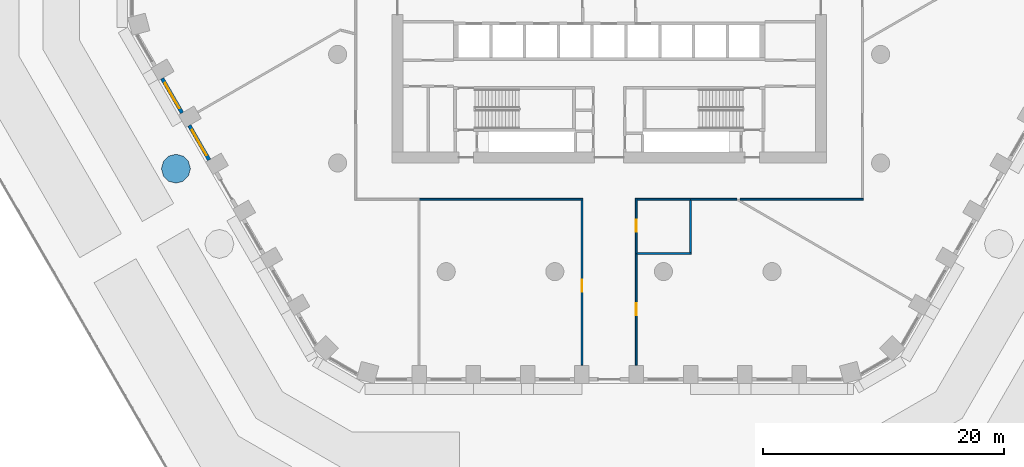
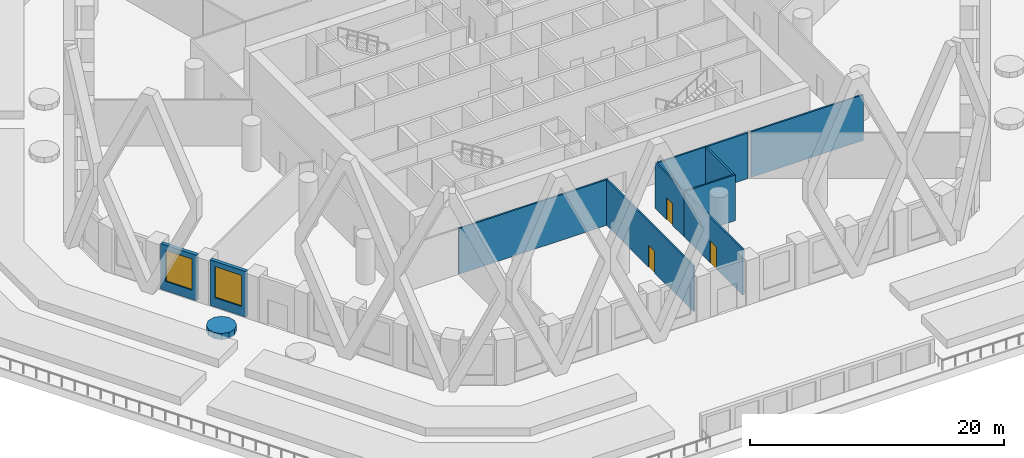
# One storey, part 4 of 27: 12 walls, 3 doors, 2 windows, 5 openings.
"""IFC4 building model written with IfcOpenShell, lengths in metres."""

from ifc_helpers import new_model, si_unit, direction, frame, frame_2d, origin, place, context, subcontext, project, spatial, polyline, rectangle, outline, extrude, material, layer, layer_set, type_object, element, fill, save


model = new_model("IFC4")

# Units and contexts
model_context = context("Model", 3, precision=1e-05, world=origin(), true_north=direction((0.0, 1.0)))
body_context = subcontext(model_context, "Body", "Model", "MODEL_VIEW")
ifc_project = project(units=[si_unit("LENGTHUNIT", "METRE"), si_unit("AREAUNIT", "SQUARE_METRE"), si_unit("VOLUMEUNIT", "CUBIC_METRE"), si_unit("PLANEANGLEUNIT", "RADIAN"), si_unit("MASSUNIT", "GRAM", prefix="KILO")], contexts=[model_context])

# Site, building, storey
site_placement = place(None, origin())
site = spatial("IfcSite", under=ifc_project, at=site_placement, CompositionType="ELEMENT")
building_placement = place(site_placement, origin())
building = spatial("IfcBuilding", under=site, at=building_placement, Name="Dhurran Vertical Campus", CompositionType="ELEMENT")
storey_placement = place(building_placement, frame((0.0, 0.0, 10.800048828125)))
storey = spatial("IfcBuildingStorey", under=building, at=storey_placement, Name="L02", CompositionType="ELEMENT", Elevation=10.800048828125)

# Wall, opening, window
ifc_material_1 = material(Name="Precast concrete C50/60", Category="concrete")
ifc_layer_1 = layer(ifc_material_1, 0.300048828125)
ifc_layer_set_1 = layer_set([ifc_layer_1], Name="Precast concrete C50/60")
wall_type_1 = type_object("IfcWallType", Name="Precast spandrel wall 300", PredefinedType="SOLIDWALL", material=ifc_layer_set_1)
wall_1_placement = place(storey_placement, frame((-37.043701171875, -6.4921875, 0.0), z_axis=(0.0, 0.0, 1.0), x_axis=(0.499991515992, -0.866030301974, 0.0)))
wall_1 = element("IfcWall", 1, at=wall_1_placement, inside=storey, type_object=wall_type_1, Name="EW1 L02.45", PredefinedType="SOLIDWALL", context=body_context, shape_type="SweptSolid", body=[
    extrude(rectangle(XDim=3.298828125, YDim=0.300048828125, at=frame_2d((1.6494140625, 0.0))), origin(), (0.0, 0.0, 1.0), 4.39990234375),
])
opening_1_placement = place(wall_1_placement, frame((0.449462890625, 0.0, 0.89990234375)))
opening_1 = element("IfcOpeningElement", 2, at=opening_1_placement, cuts=wall_1, Name="Opening WT2", PredefinedType="OPENING", context=body_context, shape_type="SweptSolid", body=[
    extrude(rectangle(XDim=2.39990234375, YDim=3.0, at=frame_2d((1.199951171875, 1.5))), frame((0.0, 0.159912109375, 0.0), z_axis=(0.0, -1.0, 0.0), x_axis=(1.0, 0.0, 0.0)), (0.0, 0.0, 1.0), 0.320068359375),
])
ifc_material_2 = material(Name="Aluminium frame with solar-control glass", Category="aluminium")
window_type = type_object("IfcWindowType", Name="Podium window 2400 x 3000", PartitioningType="SINGLE_PANEL", PredefinedType="WINDOW", material=ifc_material_2)
window_1_placement = place(opening_1_placement, origin())
window_1 = element("IfcWindow", 3, at=window_1_placement, inside=storey, type_object=window_type, Name="WT2 L02.45", OverallHeight=3.0, OverallWidth=2.39990234375, PartitioningType="SINGLE_PANEL", PredefinedType="WINDOW", context=body_context, shape_type="SweptSolid", body=[
    extrude(rectangle(XDim=2.39990234375, YDim=3.0, at=frame_2d((1.199951171875, 1.5))), frame((0.0, 0.030029296875, 0.0), z_axis=(0.0, -1.0, 0.0), x_axis=(1.0, 0.0, 0.0)), (0.0, 0.0, 1.0), 0.06005859375),
])
fill(opening_1, window_1)

wall_2_placement = place(storey_placement, frame((-34.793701171875, -10.389404296875, 0.0), z_axis=(0.0, 0.0, 1.0), x_axis=(0.499991515992, -0.866030301974, 0.0)))
wall_2 = element("IfcWall", 4, at=wall_2_placement, inside=storey, type_object=wall_type_1, Name="EW1 L02.46", PredefinedType="SOLIDWALL", context=body_context, shape_type="SweptSolid", body=[
    extrude(rectangle(XDim=3.298828125, YDim=0.300048828125, at=frame_2d((1.6494140625, 0.0))), origin(), (0.0, 0.0, 1.0), 4.39990234375),
])
opening_2_placement = place(wall_2_placement, frame((0.449462890625, 0.0, 0.89990234375)))
opening_2 = element("IfcOpeningElement", 5, at=opening_2_placement, cuts=wall_2, Name="Opening WT2", PredefinedType="OPENING", context=body_context, shape_type="SweptSolid", body=[
    extrude(rectangle(XDim=2.39990234375, YDim=3.0, at=frame_2d((1.199951171875, 1.5))), frame((0.0, 0.159912109375, 0.0), z_axis=(0.0, -1.0, 0.0), x_axis=(1.0, 0.0, 0.0)), (0.0, 0.0, 1.0), 0.320068359375),
])
window_2_placement = place(opening_2_placement, origin())
window_2 = element("IfcWindow", 6, at=window_2_placement, inside=storey, type_object=window_type, Name="WT2 L02.46", OverallHeight=3.0, OverallWidth=2.39990234375, PartitioningType="SINGLE_PANEL", PredefinedType="WINDOW", context=body_context, shape_type="SweptSolid", body=[
    extrude(rectangle(XDim=2.39990234375, YDim=3.0, at=frame_2d((1.199951171875, 1.5))), frame((0.0, 0.030029296875, 0.0), z_axis=(0.0, -1.0, 0.0), x_axis=(1.0, 0.0, 0.0)), (0.0, 0.0, 1.0), 0.06005859375),
])
fill(opening_2, window_2)

# Wall
ifc_material_3 = material(Name="Gypsum board corridor wall on steel studs", Category="steel")
ifc_layer_2 = layer(ifc_material_3, 0.14990234375)
ifc_layer_set_2 = layer_set([ifc_layer_2], Name="Gypsum board corridor wall on steel studs")
wall_type_2 = type_object("IfcWallType", Name="fl-CW-150 corridor wall", PredefinedType="PARTITIONING", material=ifc_layer_set_2)
wall_3_placement = place(storey_placement, frame((-15.75, -16.5, 0.0), z_axis=(0.0, 0.0, 1.0), x_axis=(1.0, 0.0, 0.0)))
element("IfcWall", 7, at=wall_3_placement, inside=storey, type_object=wall_type_2, Name="Partition 02-14", PredefinedType="PARTITIONING", context=body_context, shape_type="SweptSolid", body=[
    extrude(rectangle(XDim=13.574951171875, YDim=0.14990234375, at=frame_2d((6.78759765625, 0.0))), origin(), (0.0, 0.0, 1.0), 4.39990234375),
])

# Wall, opening, door
wall_4_placement = place(storey_placement, frame((-2.25, -30.259765625, 0.0), z_axis=(0.0, 0.0, 1.0), x_axis=(0.0, 1.0, 0.0)))
wall_4 = element("IfcWall", 8, at=wall_4_placement, inside=storey, type_object=wall_type_2, Name="Partition 02-15", PredefinedType="PARTITIONING", context=body_context, shape_type="SweptSolid", body=[
    extrude(rectangle(XDim=13.684814453125, YDim=0.14990234375, at=frame_2d((6.84228515625, 0.0))), origin(), (0.0, 0.0, 1.0), 4.39990234375),
])
opening_3_placement = place(wall_4_placement, frame((6.09228515625, 0.0, 0.0)))
opening_3 = element("IfcOpeningElement", 9, at=opening_3_placement, cuts=wall_4, Name="Opening PD02.06", PredefinedType="OPENING", context=body_context, shape_type="SweptSolid", body=[
    extrude(rectangle(XDim=1.0, YDim=2.10009765625, at=frame_2d((0.5, 1.050048828125))), frame((0.0, 0.0849609375, 0.0), z_axis=(0.0, -1.0, 0.0), x_axis=(1.0, 0.0, 0.0)), (0.0, 0.0, 1.0), 0.169921875),
])
ifc_material_4 = material(Name="Solid-core timber door set, fire-rated", Category="wood")
door_type = type_object("IfcDoorType", Name="fl-D-1000x2100", OperationType="SINGLE_SWING_LEFT", PredefinedType="DOOR", material=ifc_material_4)
door_1_placement = place(opening_3_placement, origin())
door_1 = element("IfcDoor", 10, at=door_1_placement, inside=storey, type_object=door_type, Name="Door 02.06", OperationType="SINGLE_SWING_RIGHT", OverallHeight=2.10009765625, OverallWidth=1.0, PredefinedType="DOOR", context=body_context, shape_type="SweptSolid", body=[
    extrude(rectangle(XDim=1.0, YDim=2.10009765625, at=frame_2d((0.5, 1.050048828125))), frame((0.0, 0.02490234375, 0.0), z_axis=(0.0, -1.0, 0.0), x_axis=(1.0, 0.0, 0.0)), (0.0, 0.0, 1.0), 0.050048828125),
])
fill(opening_3, door_1)

wall_5_placement = place(storey_placement, frame((2.25, -21.0, 0.0), z_axis=(0.0, 0.0, 1.0), x_axis=(0.0, -1.0, 0.0)))
wall_5 = element("IfcWall", 11, at=wall_5_placement, inside=storey, type_object=wall_type_2, Name="Partition 02-18", PredefinedType="PARTITIONING", context=body_context, shape_type="SweptSolid", body=[
    extrude(rectangle(XDim=9.259765625, YDim=0.14990234375, at=frame_2d((4.6298828125, 0.0))), origin(), (0.0, 0.0, 1.0), 4.39990234375),
])
opening_4_placement = place(wall_5_placement, frame((4.1298828125, 0.0, 0.0)))
opening_4 = element("IfcOpeningElement", 12, at=opening_4_placement, cuts=wall_5, Name="Opening PD02.10", PredefinedType="OPENING", context=body_context, shape_type="SweptSolid", body=[
    extrude(rectangle(XDim=1.0, YDim=2.10009765625, at=frame_2d((0.5, 1.050048828125))), frame((0.0, 0.0849609375, 0.0), z_axis=(0.0, -1.0, 0.0), x_axis=(1.0, 0.0, 0.0)), (0.0, 0.0, 1.0), 0.169921875),
])
door_2_placement = place(opening_4_placement, origin())
door_2 = element("IfcDoor", 13, at=door_2_placement, inside=storey, type_object=door_type, Name="Door 02.10", OperationType="SINGLE_SWING_LEFT", OverallHeight=2.10009765625, OverallWidth=1.0, PredefinedType="DOOR", context=body_context, shape_type="SweptSolid", body=[
    extrude(rectangle(XDim=1.0, YDim=2.10009765625, at=frame_2d((0.5, 1.050048828125))), frame((0.0, 0.02490234375, 0.0), z_axis=(0.0, -1.0, 0.0), x_axis=(1.0, 0.0, 0.0)), (0.0, 0.0, 1.0), 0.050048828125),
])
fill(opening_4, door_2)

wall_6_placement = place(storey_placement, frame((2.25, -16.425048828125, 0.0), z_axis=(0.0, 0.0, 1.0), x_axis=(0.0, -1.0, 0.0)))
wall_6 = element("IfcWall", 14, at=wall_6_placement, inside=storey, type_object=wall_type_2, Name="Partition 02-19", PredefinedType="PARTITIONING", context=body_context, shape_type="SweptSolid", body=[
    extrude(rectangle(XDim=4.574951171875, YDim=0.14990234375, at=frame_2d((2.28759765625, 0.0))), origin(), (0.0, 0.0, 1.0), 4.39990234375),
])
opening_5_placement = place(wall_6_placement, frame((1.78759765625, 0.0, 0.0)))
opening_5 = element("IfcOpeningElement", 15, at=opening_5_placement, cuts=wall_6, Name="Opening PD02.07", PredefinedType="OPENING", context=body_context, shape_type="SweptSolid", body=[
    extrude(rectangle(XDim=1.0, YDim=2.10009765625, at=frame_2d((0.5, 1.050048828125))), frame((0.0, 0.0849609375, 0.0), z_axis=(0.0, -1.0, 0.0), x_axis=(1.0, 0.0, 0.0)), (0.0, 0.0, 1.0), 0.169921875),
])
door_3_placement = place(opening_5_placement, origin())
door_3 = element("IfcDoor", 16, at=door_3_placement, inside=storey, type_object=door_type, Name="Door 02.07", OperationType="SINGLE_SWING_LEFT", OverallHeight=2.10009765625, OverallWidth=1.0, PredefinedType="DOOR", context=body_context, shape_type="SweptSolid", body=[
    extrude(rectangle(XDim=1.0, YDim=2.10009765625, at=frame_2d((0.5, 1.050048828125))), frame((0.0, 0.02490234375, 0.0), z_axis=(0.0, -1.0, 0.0), x_axis=(1.0, 0.0, 0.0)), (0.0, 0.0, 1.0), 0.050048828125),
])
fill(opening_5, door_3)

# Walls
wall_7_placement = place(storey_placement, frame((2.324951171875, -16.5, 0.0), z_axis=(0.0, 0.0, 1.0), x_axis=(1.0, 0.0, 0.0)))
element("IfcWall", 17, at=wall_7_placement, inside=storey, type_object=wall_type_2, Name="Partition 02-21", PredefinedType="PARTITIONING", context=body_context, shape_type="SweptSolid", body=[
    extrude(rectangle(XDim=4.425048828125, YDim=0.14990234375, at=frame_2d((2.21240234375, 0.0))), origin(), (0.0, 0.0, 1.0), 4.39990234375),
])
wall_8_placement = place(storey_placement, frame((6.75, -16.5, 0.0), z_axis=(0.0, 0.0, 1.0), x_axis=(1.0, 0.0, 0.0)))
element("IfcWall", 18, at=wall_8_placement, inside=storey, type_object=wall_type_2, Name="Partition 02-27", PredefinedType="PARTITIONING", context=body_context, shape_type="SweptSolid", body=[
    extrude(rectangle(XDim=3.8291015625, YDim=0.14990234375, at=frame_2d((1.91455078125, 0.0))), origin(), (0.0, 0.0, 1.0), 4.39990234375),
])
wall_9_placement = place(storey_placement, frame((10.85400390625, -16.5, 0.0), z_axis=(0.0, 0.0, 1.0), x_axis=(1.0, 0.0, 0.0)))
element("IfcWall", 19, at=wall_9_placement, inside=storey, type_object=wall_type_2, Name="Partition 02-28", PredefinedType="PARTITIONING", context=body_context, shape_type="SweptSolid", body=[
    extrude(rectangle(XDim=10.220947265625, YDim=0.14990234375, at=frame_2d((5.1103515625, 0.0))), origin(), (0.0, 0.0, 1.0), 4.39990234375),
])
ifc_material_5 = material(Name="Gypsum board partition on steel studs", Category="steel")
ifc_layer_3 = layer(ifc_material_5, 0.14990234375)
ifc_layer_set_3 = layer_set([ifc_layer_3], Name="Gypsum board partition on steel studs")
wall_type_3 = type_object("IfcWallType", Name="fl-PW-150 fixed partition", PredefinedType="PARTITIONING", material=ifc_layer_set_3)
wall_10_placement = place(storey_placement, frame((6.824951171875, -21.0, 0.0), z_axis=(0.0, 0.0, 1.0), x_axis=(-1.0, 0.0, 0.0)))
element("IfcWall", 20, at=wall_10_placement, inside=storey, type_object=wall_type_3, Name="Partition 02-20", PredefinedType="PARTITIONING", context=body_context, shape_type="SweptSolid", body=[
    extrude(rectangle(XDim=4.5, YDim=0.14990234375, at=frame_2d((2.25, 0.0))), origin(), (0.0, 0.0, 1.0), 4.39990234375),
])
wall_11_placement = place(storey_placement, frame((6.75, -16.574951171875, 0.0), z_axis=(0.0, 0.0, 1.0), x_axis=(0.0, -1.0, 0.0)))
element("IfcWall", 21, at=wall_11_placement, inside=storey, type_object=wall_type_3, Name="Partition 02-26", PredefinedType="PARTITIONING", context=body_context, shape_type="SweptSolid", body=[
    extrude(rectangle(XDim=4.35009765625, YDim=0.14990234375, at=frame_2d((2.175048828125, 0.0))), origin(), (0.0, 0.0, 1.0), 4.39990234375),
])
ifc_material_6 = material(Name="Concrete C35/45", Category="concrete")
ifc_layer_4 = layer(ifc_material_6, 2.39990234375)
ifc_layer_set_4 = layer_set([ifc_layer_4], Name="Concrete C35/45")
wall_type_4 = type_object("IfcWallType", Name="st-tree pit 600", PredefinedType="SOLIDWALL", material=ifc_layer_set_4)
wall_12_placement = place(storey_placement, origin())
element("IfcWall", 22, at=wall_12_placement, inside=storey, type_object=wall_type_4, Name="Tree pit 09", PredefinedType="SOLIDWALL", context=body_context, shape_type="SweptSolid", body=[
    extrude(outline(polyline([(-34.70068359375, -13.97216796875), (-34.861328125, -14.572265625), (-35.300537109375, -15.011474609375), (-35.900634765625, -15.172119140625), (-36.50048828125, -15.011474609375), (-36.939697265625, -14.572265625), (-37.1005859375, -13.97216796875), (-36.939697265625, -13.372314453125), (-36.50048828125, -12.93310546875), (-35.900634765625, -12.772216796875), (-35.300537109375, -12.93310546875), (-34.861328125, -13.372314453125), (-34.70068359375, -13.97216796875)])), origin(), (0.0, 0.0, 1.0), 0.599853515625),
])

save(model, "model.ifc")
